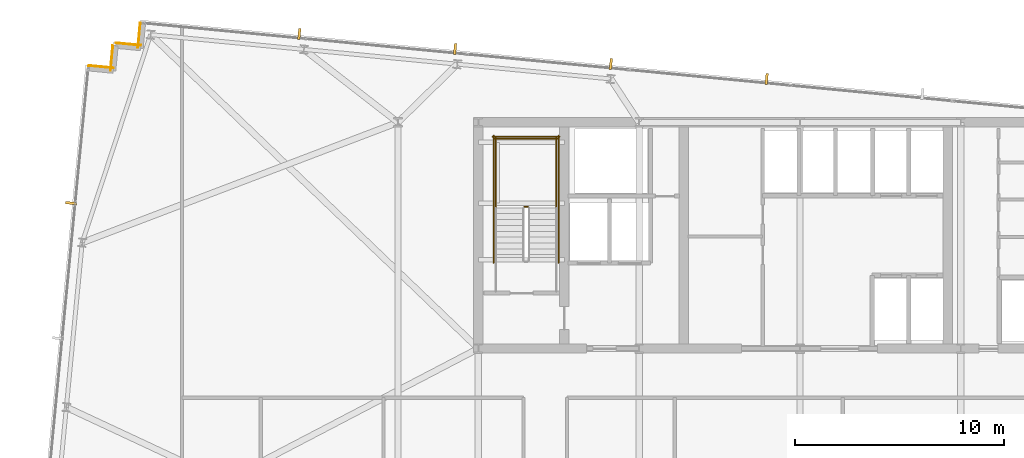
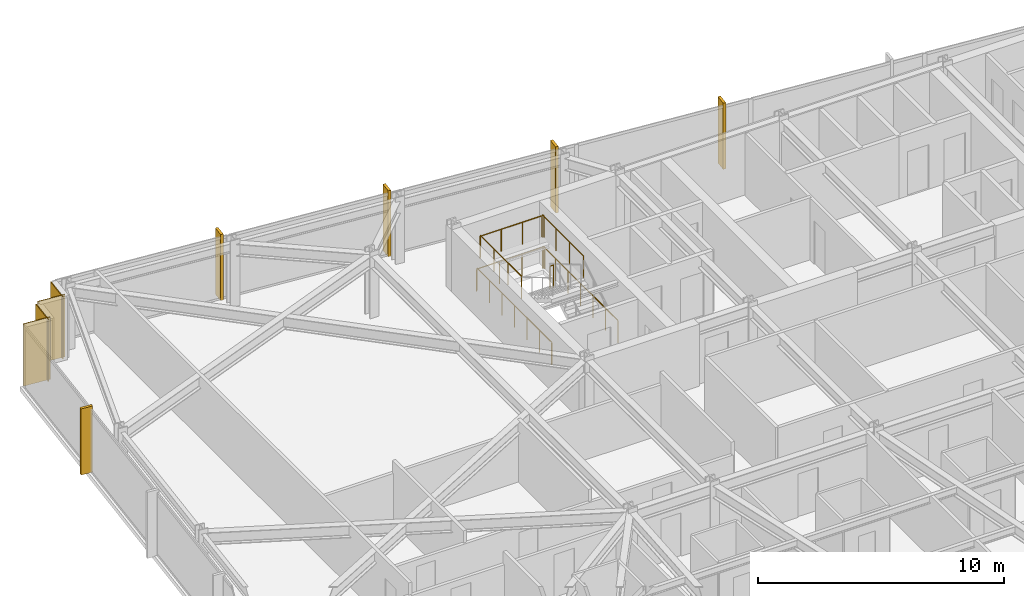
# One storey, part 36 of 37: 7 railings, 5 shading devices, 4 coverings.
"""IFC4 building model written with IfcOpenShell, lengths in metres."""

from ifc_helpers import new_model, si_unit, direction, frame, frame_2d, origin, origin_2d, place, context, subcontext, project, spatial, rectangle, circle, extrude, material, layer, layer_set, type_object, element, save


model = new_model("IFC4")

# Units and contexts
model_context = context("Model", 3, precision=1e-05, world=origin(), true_north=direction((0.0, 1.0)))
body_context = subcontext(model_context, "Body", "Model", "MODEL_VIEW")
ifc_project = project(units=[si_unit("LENGTHUNIT", "METRE"), si_unit("AREAUNIT", "SQUARE_METRE"), si_unit("VOLUMEUNIT", "CUBIC_METRE"), si_unit("PLANEANGLEUNIT", "RADIAN"), si_unit("MASSUNIT", "GRAM", prefix="KILO")], contexts=[model_context])

# Site, building, storey
site_placement = place(None, origin())
site = spatial("IfcSite", under=ifc_project, at=site_placement, CompositionType="ELEMENT")
building_placement = place(site_placement, origin())
building = spatial("IfcBuilding", under=site, at=building_placement, Name="Yelkora Congress Tower", CompositionType="ELEMENT")
storey_placement = place(building_placement, frame((0.0, 0.0, 162.199951171875)))
storey = spatial("IfcBuildingStorey", under=building, at=storey_placement, Name="L44", CompositionType="ELEMENT", Elevation=162.199951171875)

# Coverings
ifc_material_1 = material(Name="Anatolian bush-hammered limestone", Category="masonry")
ifc_layer_1 = layer(ifc_material_1, 0.0400390625)
ifc_layer_set_1 = layer_set([ifc_layer_1], Name="Anatolian bush-hammered limestone")
covering_type = type_object("IfcCoveringType", Name="COV-CLAD-SPANDREL-40", PredefinedType="CLADDING", material=ifc_layer_set_1)
for number, where, z_axis, x_axis, name in (
    (1, (4.423583984375, 48.9130859375, 0.0), (0.0, 0.0, 1.0), (0.995398960025, -0.095817067274, 0.0), "L44 Anatolian Limestone Cladding EW-L44-SR06"),
    (2, (5.470703125, 48.676513671875, 0.0), (0.0, 0.0, 1.0), (0.095817067274, 0.995398960025, 0.0), "L44 Anatolian Limestone Cladding EW-L44-SR07"),
):
    element("IfcCovering", number, at=place(storey_placement, frame(where, z_axis=z_axis, x_axis=x_axis)), inside=storey, type_object=covering_type, Name=name, PredefinedType="CLADDING", context=body_context, shape_type="SweptSolid", body=[
        extrude(rectangle(XDim=1.2001953125, YDim=0.0400390625, at=frame_2d((0.60009765625, 0.0))), origin(), (0.0, 0.0, 1.0), 3.080078125),
    ])
covering_1_placement = place(storey_placement, frame((5.733154296875, 49.992431640625, 0.0), z_axis=(0.0, 0.0, 1.0), x_axis=(0.995397091755, -0.095836473879, 0.0)))
element("IfcCovering", 3, at=covering_1_placement, inside=storey, type_object=covering_type, Name="L44 Anatolian Limestone Cladding EW-L44-SR08", PredefinedType="CLADDING", context=body_context, shape_type="SweptSolid", body=[
    extrude(rectangle(XDim=1.199951171875, YDim=0.0400390625, at=frame_2d((0.60009765625, 0.0))), origin(), (0.0, 0.0, 1.0), 3.080078125),
])
covering_2_placement = place(storey_placement, frame((6.780029296875, 49.756103515625, 0.0), z_axis=(0.0, 0.0, 1.0), x_axis=(0.096018626938, 0.995379537303, 0.0)))
element("IfcCovering", 4, at=covering_2_placement, inside=storey, type_object=covering_type, Name="L44 Anatolian Limestone Cladding EW-L44-SR09", PredefinedType="CLADDING", context=body_context, shape_type="SweptSolid", body=[
    extrude(rectangle(XDim=1.2001953125, YDim=0.0400390625, at=frame_2d((0.60009765625, 0.0))), origin(), (0.0, 0.0, 1.0), 3.080078125),
])

# Railings
ifc_material_2 = material(Name="Painted galvanised steel stair well guard with vertical infill", Category="steel")
ifc_layer_2 = layer(ifc_material_2, 0.06005859375)
ifc_layer_set_2 = layer_set([ifc_layer_2], Name="Painted galvanised steel stair well guard with vertical infill")
railing_type = type_object("IfcRailingType", Name="RAIL-STAIR-GUARD-1120", PredefinedType="GUARDRAIL", material=ifc_layer_set_2)
railing_1_placement = place(storey_placement, frame((25.39990234375, 42.169921875, 1.650146484375)))
element("IfcRailing", 5, at=railing_1_placement, inside=storey, type_object=railing_type, Name="ST-01 L44 Stair Well Guardrail 2", PredefinedType="GUARDRAIL", context=body_context, shape_type="SweptSolid", body=[
    extrude(circle(Radius=0.02392578125, at=origin_2d()), frame((0.0, 0.0, 1.09619140625), z_axis=(-1.0, 0.0, 0.0), x_axis=(0.0, -1.0, 0.0)), (0.0, 0.0, 1.0), 0.159912109375),
    extrude(circle(Radius=0.02099609375, at=origin_2d()), origin(), (0.0, 0.0, 1.0), 1.072021484375),
    extrude(circle(Radius=0.02099609375, at=origin_2d()), frame((-0.159912109375, 0.0, 0.0)), (0.0, 0.0, 1.0), 1.072021484375),
])
for number, where, name in (
    (6, (26.77001953125, 42.1201171875, 1.650146484375), "ST-01 L44 Stair Well Guardrail 3"),
    (7, (23.8701171875, 42.1201171875, 1.650146484375), "ST-01 L44 Stair Well Guardrail 4"),
):
    element("IfcRailing", number, at=place(storey_placement, frame(where)), inside=storey, type_object=railing_type, Name=name, PredefinedType="GUARDRAIL", context=body_context, shape_type="SweptSolid", body=[
        extrude(circle(Radius=0.02392578125, at=origin_2d()), frame((0.0, 0.0, 1.09619140625), z_axis=(0.0, 1.0, 0.0), x_axis=(-1.0, 0.0, 0.0)), (0.0, 0.0, 1.0), 3.349853515625),
        extrude(circle(Radius=0.02099609375, at=origin_2d()), origin(), (0.0, 0.0, 1.0), 1.072021484375),
        extrude(circle(Radius=0.02099609375, at=origin_2d()), frame((0.0, 1.11669921875, 0.0)), (0.0, 0.0, 1.0), 1.072021484375),
        extrude(circle(Radius=0.02099609375, at=origin_2d()), frame((0.0, 2.233154296875, 0.0)), (0.0, 0.0, 1.0), 1.072021484375),
        extrude(circle(Radius=0.02099609375, at=origin_2d()), frame((0.0, 3.349853515625, 0.0)), (0.0, 0.0, 1.0), 1.072021484375),
    ])
railing_2_placement = place(storey_placement, frame((26.820068359375, 45.419921875, 1.650146484375)))
element("IfcRailing", 8, at=railing_2_placement, inside=storey, type_object=railing_type, Name="ST-01 L44 Stair Well Guardrail 5", PredefinedType="GUARDRAIL", context=body_context, shape_type="SweptSolid", body=[
    extrude(circle(Radius=0.02392578125, at=origin_2d()), frame((0.0, 0.0, 1.09619140625), z_axis=(-1.0, 0.0, 0.0), x_axis=(0.0, -1.0, 0.0)), (0.0, 0.0, 1.0), 3.0),
    extrude(circle(Radius=0.02099609375, at=origin_2d()), origin(), (0.0, 0.0, 1.0), 1.072021484375),
    extrude(circle(Radius=0.02099609375, at=origin_2d()), frame((-1.0, 0.0, 0.0)), (0.0, 0.0, 1.0), 1.072021484375),
    extrude(circle(Radius=0.02099609375, at=origin_2d()), frame((-2.0, 0.0, 0.0)), (0.0, 0.0, 1.0), 1.072021484375),
    extrude(circle(Radius=0.02099609375, at=origin_2d()), frame((-3.0, 0.0, 0.0)), (0.0, 0.0, 1.0), 1.072021484375),
])
for number, where, name in (
    (9, (26.8701171875, 39.5, 0.0), "ST-01 L44 Stair Well Guardrail 10"),
    (10, (23.77001953125, 39.5, 0.0), "ST-01 L44 Stair Well Guardrail 11"),
):
    element("IfcRailing", number, at=place(storey_placement, frame(where)), inside=storey, type_object=railing_type, Name=name, PredefinedType="GUARDRAIL", context=body_context, shape_type="SweptSolid", body=[
        extrude(circle(Radius=0.02392578125, at=origin_2d()), frame((0.0, 0.0, 1.09619140625), z_axis=(0.0, 1.0, 0.0), x_axis=(-1.0, 0.0, 0.0)), (0.0, 0.0, 1.0), 6.070068359375),
        extrude(circle(Radius=0.02099609375, at=origin_2d()), origin(), (0.0, 0.0, 1.0), 1.072021484375),
        extrude(circle(Radius=0.02099609375, at=origin_2d()), frame((0.0, 1.01171875, 0.0)), (0.0, 0.0, 1.0), 1.072021484375),
        extrude(circle(Radius=0.02099609375, at=origin_2d()), frame((0.0, 2.0234375, 0.0)), (0.0, 0.0, 1.0), 1.072021484375),
        extrude(circle(Radius=0.02099609375, at=origin_2d()), frame((0.0, 3.03515625, 0.0)), (0.0, 0.0, 1.0), 1.072021484375),
        extrude(circle(Radius=0.02099609375, at=origin_2d()), frame((0.0, 4.046630859375, 0.0)), (0.0, 0.0, 1.0), 1.072021484375),
        extrude(circle(Radius=0.02099609375, at=origin_2d()), frame((0.0, 5.058349609375, 0.0)), (0.0, 0.0, 1.0), 1.072021484375),
        extrude(circle(Radius=0.02099609375, at=origin_2d()), frame((0.0, 6.070068359375, 0.0)), (0.0, 0.0, 1.0), 1.072021484375),
    ])
railing_3_placement = place(storey_placement, frame((26.919921875, 45.52001953125, 0.0)))
element("IfcRailing", 11, at=railing_3_placement, inside=storey, type_object=railing_type, Name="ST-01 L44 Stair Well Guardrail 12", PredefinedType="GUARDRAIL", context=body_context, shape_type="SweptSolid", body=[
    extrude(circle(Radius=0.02392578125, at=origin_2d()), frame((0.0, 0.0, 1.09619140625), z_axis=(-1.0, 0.0, 0.0), x_axis=(0.0, -1.0, 0.0)), (0.0, 0.0, 1.0), 3.199951171875),
    extrude(circle(Radius=0.02099609375, at=origin_2d()), origin(), (0.0, 0.0, 1.0), 1.072021484375),
    extrude(circle(Radius=0.02099609375, at=origin_2d()), frame((-1.066650390625, 0.0, 0.0)), (0.0, 0.0, 1.0), 1.072021484375),
    extrude(circle(Radius=0.02099609375, at=origin_2d()), frame((-2.13330078125, 0.0, 0.0)), (0.0, 0.0, 1.0), 1.072021484375),
    extrude(circle(Radius=0.02099609375, at=origin_2d()), frame((-3.199951171875, 0.0, 0.0)), (0.0, 0.0, 1.0), 1.072021484375),
])

# Shading devices
ifc_material_3 = material(Name="Champagne anodised aluminium", Category="aluminium")
ifc_layer_3 = layer(ifc_material_3, 3.300048828125)
ifc_layer_set_3 = layer_set([ifc_layer_3], Name="Champagne anodised aluminium")
shading_device_type = type_object("IfcShadingDeviceType", Name="SHD-FIN-ALU-520", PredefinedType="USERDEFINED", material=ifc_layer_set_3)
for number, where, z_axis, x_axis, name in (
    (12, (3.590087890625, 42.34375, -0.02978515625), (0.0, 0.0, 1.0), (0.09584575252, 0.995396198367, 0.0), "L44 Vertical Anodised Solar Fin 5-4"),
    (13, (14.48876953125, 50.42041015625, -0.02978515625), (0.0, 0.0, 1.0), (0.995396198367, -0.09584575252, 0.0), "L44 Vertical Anodised Solar Fin 10-1"),
    (14, (21.928466796875, 49.703857421875, -0.02978515625), (0.0, 0.0, 1.0), (0.995396198367, -0.09584575252, 0.0), "L44 Vertical Anodised Solar Fin 10-2"),
    (15, (29.368408203125, 48.987548828125, -0.02978515625), (0.0, 0.0, 1.0), (0.995396198367, -0.09584575252, 0.0), "L44 Vertical Anodised Solar Fin 10-3"),
    (16, (36.808349609375, 48.271240234375, -0.02978515625), (0.0, 0.0, 1.0), (0.995396198367, -0.09584575252, 0.0), "L44 Vertical Anodised Solar Fin 10-4"),
):
    element("IfcShadingDevice", number, at=place(storey_placement, frame(where, z_axis=z_axis, x_axis=x_axis)), inside=storey, type_object=shading_device_type, Name=name, ObjectType="FIN", PredefinedType="USERDEFINED", context=body_context, shape_type="SweptSolid", body=[
        extrude(rectangle(XDim=0.1201171875, YDim=0.52001953125, at=origin_2d()), origin(), (0.0, 0.0, 1.0), 3.280029296875),
    ])

save(model, "model.ifc")
